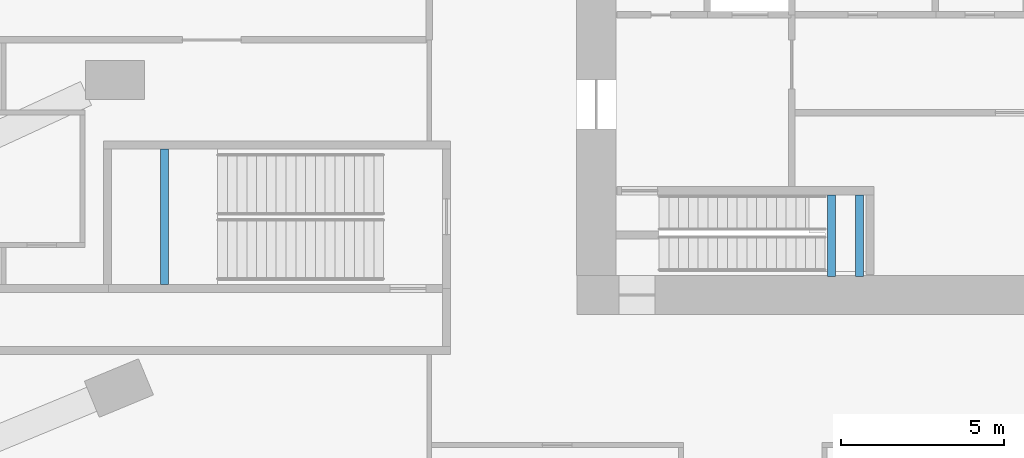
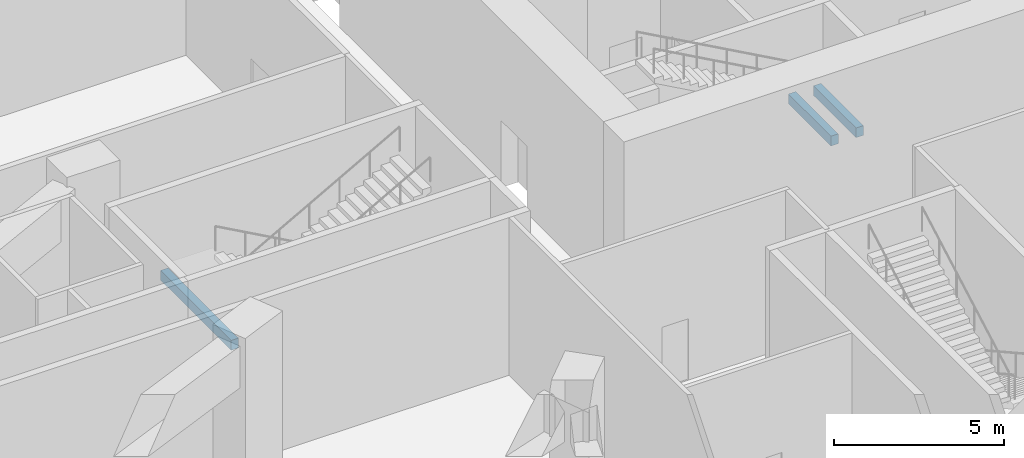
# One storey, part 5 of 36: 3 beams.
"""IFC4 building model written with IfcOpenShell, lengths in metres."""

from ifc_helpers import new_model, si_unit, direction, frame, origin, origin_2d, place, context, subcontext, project, spatial, rectangle, extrude, material, material_profile, profile_set, type_object, element, save


model = new_model("IFC4")

# Units and contexts
model_context = context("Model", 3, precision=1e-05, world=origin(), true_north=direction((0.0, 1.0)))
body_context = subcontext(model_context, "Body", "Model", "MODEL_VIEW")
ifc_project = project(units=[si_unit("LENGTHUNIT", "METRE"), si_unit("AREAUNIT", "SQUARE_METRE"), si_unit("VOLUMEUNIT", "CUBIC_METRE"), si_unit("PLANEANGLEUNIT", "RADIAN"), si_unit("MASSUNIT", "GRAM", prefix="KILO")], contexts=[model_context])

# Site, building, storey
site_placement = place(None, origin())
site = spatial("IfcSite", under=ifc_project, at=site_placement, CompositionType="ELEMENT")
building_placement = place(site_placement, origin())
building = spatial("IfcBuilding", under=site, at=building_placement, Name="Msitu Wima Residences", CompositionType="ELEMENT")
storey_placement = place(building_placement, origin())
storey = spatial("IfcBuildingStorey", under=building, at=storey_placement, Name="L00", CompositionType="ELEMENT", Elevation=0.0)

# Beams
ifc_material = material(Name="Concrete C40/50", Category="concrete")
ifc_material_profile = material_profile(ifc_material, rectangle(XDim=0.25, YDim=0.35009765625, at=origin_2d()), Name="RC 250x350")
ifc_profile_set = profile_set([ifc_material_profile], Name="Concrete C40/50")
beam_type = type_object("IfcBeamType", Name="Landing beam RC 250x350", PredefinedType="BEAM", material=ifc_profile_set)
for number, where, z_axis, x_axis, name in (
    (1, (-6.574951171875, -10.824951171875, 2.625), (0.0, 1.0, 0.0), (-1.0, 0.0, 0.0), "Stair 2 landing beam"),
    (2, (-5.72509765625, -10.824951171875, 2.625), (0.0, 1.0, 0.0), (-1.0, 0.0, 0.0), "Stair 2 landing beam"),
):
    element("IfcBeam", number, at=place(storey_placement, frame(where, z_axis=z_axis, x_axis=x_axis)), inside=storey, type_object=beam_type, Name=name, PredefinedType="BEAM", context=body_context, shape_type="SweptSolid", body=[
        extrude(rectangle(XDim=0.25, YDim=0.35009765625, at=origin_2d()), origin(), (0.0, 0.0, 1.0), 2.5),
    ])
beam_placement = place(storey_placement, frame((-27.050048828125, -6.925048828125, 2.625), z_axis=(0.0, -1.0, 0.0), x_axis=(1.0, 0.0, 0.0)))
element("IfcBeam", 3, at=beam_placement, inside=storey, type_object=beam_type, Name="Podium exit stair 5 landing beam", PredefinedType="BEAM", context=body_context, shape_type="SweptSolid", body=[
    extrude(rectangle(XDim=0.25, YDim=0.35009765625, at=origin_2d()), origin(), (0.0, 0.0, 1.0), 4.14990234375),
])

save(model, "model.ifc")
